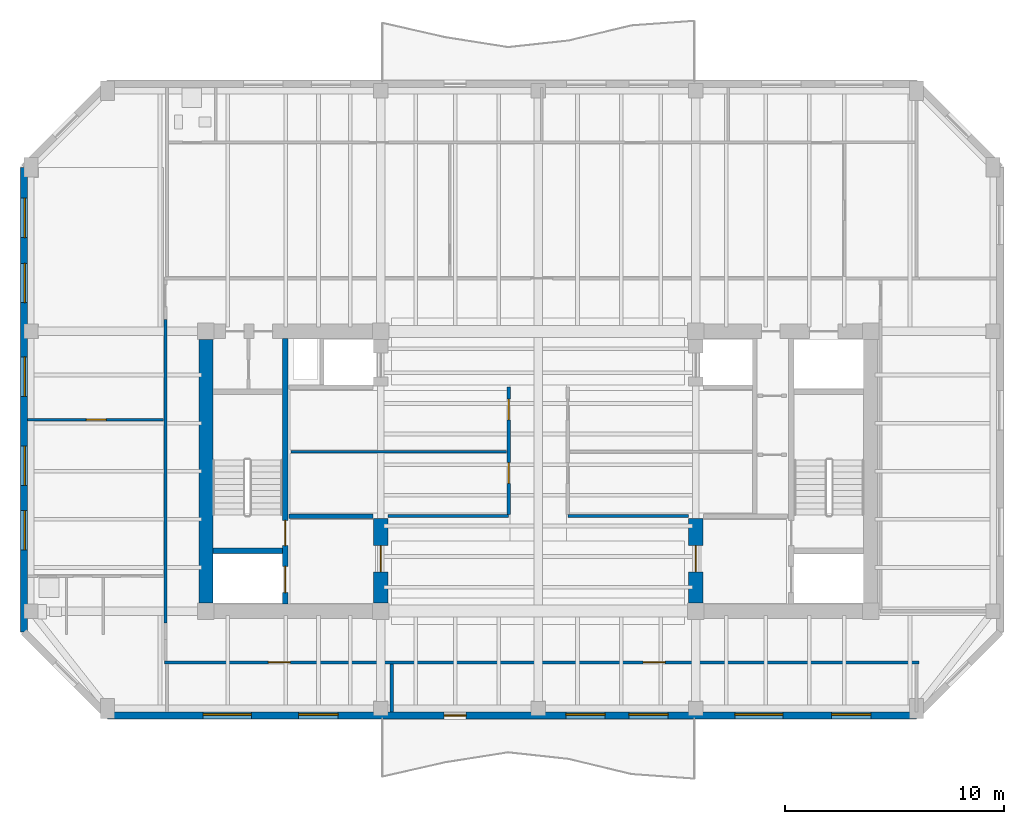
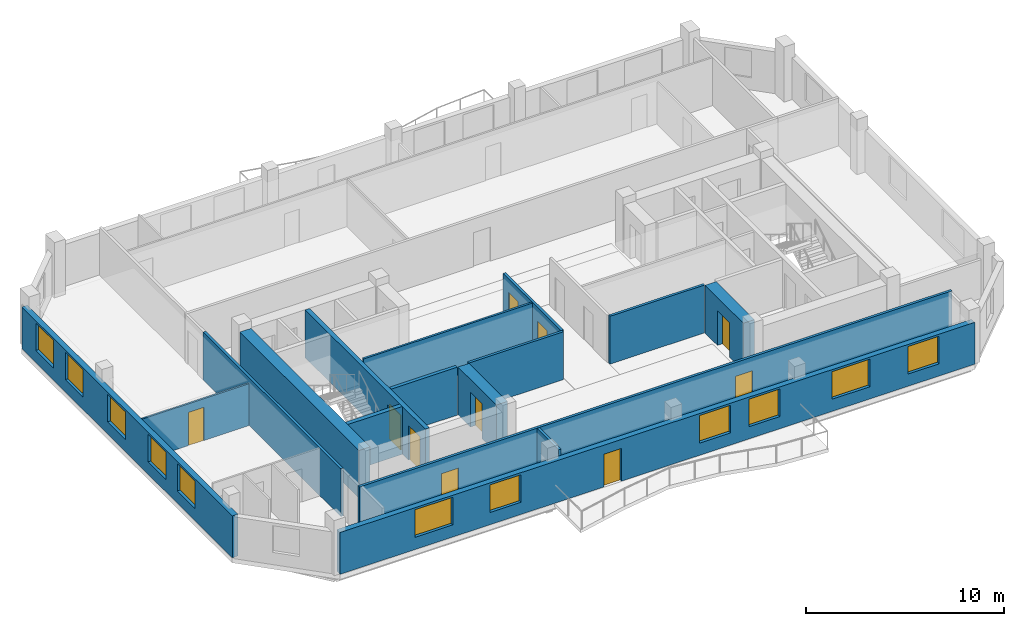
# One storey, part 3 of 10: 16 walls, 11 windows, 10 doors, 21 openings.
"""IFC4 building model written with IfcOpenShell, lengths in metres."""

from ifc_helpers import new_model, si_unit, direction, frame, frame_2d, origin, place, context, subcontext, project, spatial, rectangle, extrude, material, layer, layer_set, type_object, element, fill, save


model = new_model("IFC4")

# Units and contexts
model_context = context("Model", 3, precision=1e-05, world=origin(), true_north=direction((0.0, 1.0)))
body_context = subcontext(model_context, "Body", "Model", "MODEL_VIEW")
ifc_project = project(units=[si_unit("LENGTHUNIT", "METRE"), si_unit("AREAUNIT", "SQUARE_METRE"), si_unit("VOLUMEUNIT", "CUBIC_METRE"), si_unit("PLANEANGLEUNIT", "RADIAN"), si_unit("MASSUNIT", "GRAM", prefix="KILO")], contexts=[model_context])

# Site, building, storey
site_placement = place(None, origin())
site = spatial("IfcSite", under=ifc_project, at=site_placement, CompositionType="ELEMENT")
building_placement = place(site_placement, origin())
building = spatial("IfcBuilding", under=site, at=building_placement, Name="Kranthara Brick Stack", CompositionType="ELEMENT")
storey_placement = place(building_placement, frame((0.0, 0.0, 278.89990234375)))
storey = spatial("IfcBuildingStorey", under=building, at=storey_placement, Name="L74", CompositionType="ELEMENT", Elevation=278.89990234375)

# Wall, openings, door, windows
ifc_material_1 = material(Name="Warm buff clay brick masonry M15", Category="masonry")
ifc_layer_1 = layer(ifc_material_1, 0.320068359375)
ifc_layer_set_1 = layer_set([ifc_layer_1], Name="Warm buff clay brick masonry M15")
wall_type_1 = type_object("IfcWallType", Name="WL-BRK-UPPR-320", PredefinedType="STANDARD", material=ifc_layer_set_1)
wall_1_placement = place(storey_placement, frame((45.300048828125, 16.030029296875, 0.0), z_axis=(0.0, 0.0, 1.0), x_axis=(-1.0, 0.0, 0.0)))
wall_1 = element("IfcWall", 1, at=wall_1_placement, inside=storey, type_object=wall_type_1, Name="L74 Exterior Brick Facade Wall SOUTH 1", PredefinedType="STANDARD", context=body_context, shape_type="SweptSolid", body=[
    extrude(rectangle(XDim=37.0, YDim=0.320068359375, at=frame_2d((18.5, 0.0))), origin(), (0.0, 0.0, 1.0), 2.5751953125),
])
opening_1_placement = place(wall_1_placement, frame((20.60009765625, 0.0, 0.0)))
opening_1 = element("IfcOpeningElement", 2, at=opening_1_placement, cuts=wall_1, Name="Opening D03", PredefinedType="OPENING", context=body_context, shape_type="SweptSolid", body=[
    extrude(rectangle(XDim=1.0, YDim=2.02001953125, at=frame_2d((0.5, 1.010009765625))), frame((0.0, 0.169921875, 0.0), z_axis=(0.0, -1.0, 0.0), x_axis=(1.0, 0.0, 0.0)), (0.0, 0.0, 1.0), 0.340087890625),
])
opening_2_placement = place(wall_1_placement, frame((2.087890625, 0.0, 0.75)))
opening_2 = element("IfcOpeningElement", 3, at=opening_2_placement, cuts=wall_1, Name="Opening WN07", PredefinedType="OPENING", context=body_context, shape_type="SweptSolid", body=[
    extrude(rectangle(XDim=1.800048828125, YDim=1.699951171875, at=frame_2d((0.89990234375, 0.85009765625))), frame((0.0, 0.169921875, 0.0), z_axis=(0.0, -1.0, 0.0), x_axis=(1.0, 0.0, 0.0)), (0.0, 0.0, 1.0), 0.340087890625),
])
opening_3_placement = place(wall_1_placement, frame((6.112060546875, 0.0, 0.75)))
opening_3 = element("IfcOpeningElement", 4, at=opening_3_placement, cuts=wall_1, Name="Opening WN08", PredefinedType="OPENING", context=body_context, shape_type="SweptSolid", body=[
    extrude(rectangle(XDim=2.199951171875, YDim=1.699951171875, at=frame_2d((1.10009765625, 0.85009765625))), frame((0.0, 0.169921875, 0.0), z_axis=(0.0, -1.0, 0.0), x_axis=(1.0, 0.0, 0.0)), (0.0, 0.0, 1.0), 0.340087890625),
])
opening_4_placement = place(wall_1_placement, frame((11.360107421875, 0.0, 0.75)))
opening_4 = element("IfcOpeningElement", 5, at=opening_4_placement, cuts=wall_1, Name="Opening WN07", PredefinedType="OPENING", context=body_context, shape_type="SweptSolid", body=[
    extrude(rectangle(XDim=1.800048828125, YDim=1.699951171875, at=frame_2d((0.89990234375, 0.85009765625))), frame((0.0, 0.169921875, 0.0), z_axis=(0.0, -1.0, 0.0), x_axis=(1.0, 0.0, 0.0)), (0.0, 0.0, 1.0), 0.340087890625),
])
opening_5_placement = place(wall_1_placement, frame((14.239990234375, 0.0, 0.75)))
opening_5 = element("IfcOpeningElement", 6, at=opening_5_placement, cuts=wall_1, Name="Opening WN07", PredefinedType="OPENING", context=body_context, shape_type="SweptSolid", body=[
    extrude(rectangle(XDim=1.800048828125, YDim=1.699951171875, at=frame_2d((0.89990234375, 0.85009765625))), frame((0.0, 0.169921875, 0.0), z_axis=(0.0, -1.0, 0.0), x_axis=(1.0, 0.0, 0.0)), (0.0, 0.0, 1.0), 0.340087890625),
])
opening_6_placement = place(wall_1_placement, frame((26.45703125, 0.0, 0.75)))
opening_6 = element("IfcOpeningElement", 7, at=opening_6_placement, cuts=wall_1, Name="Opening WN07", PredefinedType="OPENING", context=body_context, shape_type="SweptSolid", body=[
    extrude(rectangle(XDim=1.800048828125, YDim=1.699951171875, at=frame_2d((0.89990234375, 0.85009765625))), frame((0.0, 0.169921875, 0.0), z_axis=(0.0, -1.0, 0.0), x_axis=(1.0, 0.0, 0.0)), (0.0, 0.0, 1.0), 0.340087890625),
])
opening_7_placement = place(wall_1_placement, frame((30.423095703125, 0.0, 0.75)))
opening_7 = element("IfcOpeningElement", 8, at=opening_7_placement, cuts=wall_1, Name="Opening WN08", PredefinedType="OPENING", context=body_context, shape_type="SweptSolid", body=[
    extrude(rectangle(XDim=2.199951171875, YDim=1.699951171875, at=frame_2d((1.10009765625, 0.85009765625))), frame((0.0, 0.169921875, 0.0), z_axis=(0.0, -1.0, 0.0), x_axis=(1.0, 0.0, 0.0)), (0.0, 0.0, 1.0), 0.340087890625),
])
ifc_material_2 = material(Name="Bronze anodised aluminium and laminated glass", Category="aluminium")
door_type_1 = type_object("IfcDoorType", Name="DR-BALC-1000", OperationType="NOTDEFINED", PredefinedType="DOOR", material=ifc_material_2)
door_1_placement = place(opening_1_placement, origin())
door_1 = element("IfcDoor", 9, at=door_1_placement, inside=storey, type_object=door_type_1, Name="L74 South Balcony Terrace Door", OperationType="SINGLE_SWING_LEFT", OverallHeight=2.02001953125, OverallWidth=1.0, PredefinedType="DOOR", context=body_context, shape_type="SweptSolid", body=[
    extrude(rectangle(XDim=1.0, YDim=2.02001953125, at=frame_2d((0.5, 1.010009765625))), frame((0.0, 0.02490234375, 0.0), z_axis=(0.0, -1.0, 0.0), x_axis=(1.0, 0.0, 0.0)), (0.0, 0.0, 1.0), 0.050048828125),
])
fill(opening_1, door_1)
ifc_material_3 = material(Name="Double-glazed low-E solar control glass", Category="glass")
window_type_1 = type_object("IfcWindowType", Name="WN-RES-1800x1850", PartitioningType="DOUBLE_PANEL_VERTICAL", PredefinedType="WINDOW", material=ifc_material_3)
window_1_placement = place(opening_2_placement, origin())
window_1 = element("IfcWindow", 10, at=window_1_placement, inside=storey, type_object=window_type_1, Name="L74 South Deep-Set Brick Window 01", OverallHeight=1.699951171875, OverallWidth=1.800048828125, PartitioningType="SINGLE_PANEL", PredefinedType="WINDOW", context=body_context, shape_type="SweptSolid", body=[
    extrude(rectangle(XDim=1.800048828125, YDim=1.699951171875, at=frame_2d((0.89990234375, 0.85009765625))), frame((0.0, -0.010009765625, 0.0), z_axis=(0.0, -1.0, 0.0), x_axis=(1.0, 0.0, 0.0)), (0.0, 0.0, 1.0), 0.06005859375),
])
fill(opening_2, window_1)
window_2_placement = place(opening_4_placement, origin())
window_2 = element("IfcWindow", 11, at=window_2_placement, inside=storey, type_object=window_type_1, Name="L74 South Deep-Set Brick Window 03", OverallHeight=1.699951171875, OverallWidth=1.800048828125, PartitioningType="SINGLE_PANEL", PredefinedType="WINDOW", context=body_context, shape_type="SweptSolid", body=[
    extrude(rectangle(XDim=1.800048828125, YDim=1.699951171875, at=frame_2d((0.89990234375, 0.85009765625))), frame((0.0, -0.010009765625, 0.0), z_axis=(0.0, -1.0, 0.0), x_axis=(1.0, 0.0, 0.0)), (0.0, 0.0, 1.0), 0.06005859375),
])
fill(opening_4, window_2)
window_3_placement = place(opening_5_placement, origin())
window_3 = element("IfcWindow", 12, at=window_3_placement, inside=storey, type_object=window_type_1, Name="L74 South Deep-Set Brick Window 04", OverallHeight=1.699951171875, OverallWidth=1.800048828125, PartitioningType="SINGLE_PANEL", PredefinedType="WINDOW", context=body_context, shape_type="SweptSolid", body=[
    extrude(rectangle(XDim=1.800048828125, YDim=1.699951171875, at=frame_2d((0.89990234375, 0.85009765625))), frame((0.0, -0.010009765625, 0.0), z_axis=(0.0, -1.0, 0.0), x_axis=(1.0, 0.0, 0.0)), (0.0, 0.0, 1.0), 0.06005859375),
])
fill(opening_5, window_3)
window_4_placement = place(opening_6_placement, origin())
window_4 = element("IfcWindow", 13, at=window_4_placement, inside=storey, type_object=window_type_1, Name="L74 South Deep-Set Brick Window 05", OverallHeight=1.699951171875, OverallWidth=1.800048828125, PartitioningType="SINGLE_PANEL", PredefinedType="WINDOW", context=body_context, shape_type="SweptSolid", body=[
    extrude(rectangle(XDim=1.800048828125, YDim=1.699951171875, at=frame_2d((0.89990234375, 0.85009765625))), frame((0.0, -0.010009765625, 0.0), z_axis=(0.0, -1.0, 0.0), x_axis=(1.0, 0.0, 0.0)), (0.0, 0.0, 1.0), 0.06005859375),
])
fill(opening_6, window_4)
ifc_material_4 = material(Name="Double-glazed low-E solar control glass", Category="glass")
window_type_2 = type_object("IfcWindowType", Name="WN-RES-2200x1850", PartitioningType="TRIPLE_PANEL_VERTICAL", PredefinedType="WINDOW", material=ifc_material_4)
window_5_placement = place(opening_3_placement, origin())
window_5 = element("IfcWindow", 14, at=window_5_placement, inside=storey, type_object=window_type_2, Name="L74 South Deep-Set Brick Window 02", OverallHeight=1.699951171875, OverallWidth=2.199951171875, PartitioningType="SINGLE_PANEL", PredefinedType="WINDOW", context=body_context, shape_type="SweptSolid", body=[
    extrude(rectangle(XDim=2.199951171875, YDim=1.699951171875, at=frame_2d((1.10009765625, 0.85009765625))), frame((0.0, -0.010009765625, 0.0), z_axis=(0.0, -1.0, 0.0), x_axis=(1.0, 0.0, 0.0)), (0.0, 0.0, 1.0), 0.06005859375),
])
fill(opening_3, window_5)
window_6_placement = place(opening_7_placement, origin())
window_6 = element("IfcWindow", 15, at=window_6_placement, inside=storey, type_object=window_type_2, Name="L74 South Deep-Set Brick Window 06", OverallHeight=1.699951171875, OverallWidth=2.199951171875, PartitioningType="SINGLE_PANEL", PredefinedType="WINDOW", context=body_context, shape_type="SweptSolid", body=[
    extrude(rectangle(XDim=2.199951171875, YDim=1.699951171875, at=frame_2d((1.10009765625, 0.85009765625))), frame((0.0, -0.010009765625, 0.0), z_axis=(0.0, -1.0, 0.0), x_axis=(1.0, 0.0, 0.0)), (0.0, 0.0, 1.0), 0.06005859375),
])
fill(opening_7, window_6)

# Wall, openings, windows
wall_2_placement = place(storey_placement, frame((4.47998046875, 19.85009765625, 0.0), z_axis=(0.0, 0.0, 1.0), x_axis=(0.0, 1.0, 0.0)))
wall_2 = element("IfcWall", 16, at=wall_2_placement, inside=storey, type_object=wall_type_1, Name="L74 Exterior Brick Facade Wall WEST 1", PredefinedType="STANDARD", context=body_context, shape_type="SweptSolid", body=[
    extrude(rectangle(XDim=21.25, YDim=0.320068359375, at=frame_2d((10.625, 0.0))), origin(), (0.0, 0.0, 1.0), 2.5751953125),
])
opening_8_placement = place(wall_2_placement, frame((3.7509765625, 0.0, 0.75)))
opening_8 = element("IfcOpeningElement", 17, at=opening_8_placement, cuts=wall_2, Name="Opening WN07", PredefinedType="OPENING", context=body_context, shape_type="SweptSolid", body=[
    extrude(rectangle(XDim=1.800048828125, YDim=1.699951171875, at=frame_2d((0.89990234375, 0.85009765625))), frame((0.0, 0.169921875, 0.0), z_axis=(0.0, -1.0, 0.0), x_axis=(1.0, 0.0, 0.0)), (0.0, 0.0, 1.0), 0.340087890625),
])
opening_9_placement = place(wall_2_placement, frame((6.705078125, 0.0, 0.75)))
opening_9 = element("IfcOpeningElement", 18, at=opening_9_placement, cuts=wall_2, Name="Opening WN07", PredefinedType="OPENING", context=body_context, shape_type="SweptSolid", body=[
    extrude(rectangle(XDim=1.800048828125, YDim=1.699951171875, at=frame_2d((0.89990234375, 0.85009765625))), frame((0.0, 0.169921875, 0.0), z_axis=(0.0, -1.0, 0.0), x_axis=(1.0, 0.0, 0.0)), (0.0, 0.0, 1.0), 0.340087890625),
])
opening_10_placement = place(wall_2_placement, frame((10.778076171875, 0.0, 0.75)))
opening_10 = element("IfcOpeningElement", 19, at=opening_10_placement, cuts=wall_2, Name="Opening WN07", PredefinedType="OPENING", context=body_context, shape_type="SweptSolid", body=[
    extrude(rectangle(XDim=1.800048828125, YDim=1.699951171875, at=frame_2d((0.89990234375, 0.85009765625))), frame((0.0, 0.169921875, 0.0), z_axis=(0.0, -1.0, 0.0), x_axis=(1.0, 0.0, 0.0)), (0.0, 0.0, 1.0), 0.340087890625),
])
opening_11_placement = place(wall_2_placement, frame((15.06201171875, 0.0, 0.75)))
opening_11 = element("IfcOpeningElement", 20, at=opening_11_placement, cuts=wall_2, Name="Opening WN07", PredefinedType="OPENING", context=body_context, shape_type="SweptSolid", body=[
    extrude(rectangle(XDim=1.800048828125, YDim=1.699951171875, at=frame_2d((0.89990234375, 0.85009765625))), frame((0.0, 0.169921875, 0.0), z_axis=(0.0, -1.0, 0.0), x_axis=(1.0, 0.0, 0.0)), (0.0, 0.0, 1.0), 0.340087890625),
])
opening_12_placement = place(wall_2_placement, frame((18.0380859375, 0.0, 0.75)))
opening_12 = element("IfcOpeningElement", 21, at=opening_12_placement, cuts=wall_2, Name="Opening WN07", PredefinedType="OPENING", context=body_context, shape_type="SweptSolid", body=[
    extrude(rectangle(XDim=1.800048828125, YDim=1.699951171875, at=frame_2d((0.89990234375, 0.85009765625))), frame((0.0, 0.169921875, 0.0), z_axis=(0.0, -1.0, 0.0), x_axis=(1.0, 0.0, 0.0)), (0.0, 0.0, 1.0), 0.340087890625),
])
window_7_placement = place(opening_8_placement, origin())
window_7 = element("IfcWindow", 22, at=window_7_placement, inside=storey, type_object=window_type_1, Name="L74 West Deep-Set Brick Window 01", OverallHeight=1.699951171875, OverallWidth=1.800048828125, PartitioningType="SINGLE_PANEL", PredefinedType="WINDOW", context=body_context, shape_type="SweptSolid", body=[
    extrude(rectangle(XDim=1.800048828125, YDim=1.699951171875, at=frame_2d((0.89990234375, 0.85009765625))), frame((0.0, -0.010009765625, 0.0), z_axis=(0.0, -1.0, 0.0), x_axis=(1.0, 0.0, 0.0)), (0.0, 0.0, 1.0), 0.06005859375),
])
fill(opening_8, window_7)
window_8_placement = place(opening_9_placement, origin())
window_8 = element("IfcWindow", 23, at=window_8_placement, inside=storey, type_object=window_type_1, Name="L74 West Deep-Set Brick Window 02", OverallHeight=1.699951171875, OverallWidth=1.800048828125, PartitioningType="SINGLE_PANEL", PredefinedType="WINDOW", context=body_context, shape_type="SweptSolid", body=[
    extrude(rectangle(XDim=1.800048828125, YDim=1.699951171875, at=frame_2d((0.89990234375, 0.85009765625))), frame((0.0, -0.010009765625, 0.0), z_axis=(0.0, -1.0, 0.0), x_axis=(1.0, 0.0, 0.0)), (0.0, 0.0, 1.0), 0.06005859375),
])
fill(opening_9, window_8)
window_9_placement = place(opening_10_placement, origin())
window_9 = element("IfcWindow", 24, at=window_9_placement, inside=storey, type_object=window_type_1, Name="L74 West Deep-Set Brick Window 03", OverallHeight=1.699951171875, OverallWidth=1.800048828125, PartitioningType="SINGLE_PANEL", PredefinedType="WINDOW", context=body_context, shape_type="SweptSolid", body=[
    extrude(rectangle(XDim=1.800048828125, YDim=1.699951171875, at=frame_2d((0.89990234375, 0.85009765625))), frame((0.0, -0.010009765625, 0.0), z_axis=(0.0, -1.0, 0.0), x_axis=(1.0, 0.0, 0.0)), (0.0, 0.0, 1.0), 0.06005859375),
])
fill(opening_10, window_9)
window_10_placement = place(opening_11_placement, origin())
window_10 = element("IfcWindow", 25, at=window_10_placement, inside=storey, type_object=window_type_1, Name="L74 West Deep-Set Brick Window 04", OverallHeight=1.699951171875, OverallWidth=1.800048828125, PartitioningType="SINGLE_PANEL", PredefinedType="WINDOW", context=body_context, shape_type="SweptSolid", body=[
    extrude(rectangle(XDim=1.800048828125, YDim=1.699951171875, at=frame_2d((0.89990234375, 0.85009765625))), frame((0.0, -0.010009765625, 0.0), z_axis=(0.0, -1.0, 0.0), x_axis=(1.0, 0.0, 0.0)), (0.0, 0.0, 1.0), 0.06005859375),
])
fill(opening_11, window_10)
window_11_placement = place(opening_12_placement, origin())
window_11 = element("IfcWindow", 26, at=window_11_placement, inside=storey, type_object=window_type_1, Name="L74 West Deep-Set Brick Window 05", OverallHeight=1.699951171875, OverallWidth=1.800048828125, PartitioningType="SINGLE_PANEL", PredefinedType="WINDOW", context=body_context, shape_type="SweptSolid", body=[
    extrude(rectangle(XDim=1.800048828125, YDim=1.699951171875, at=frame_2d((0.89990234375, 0.85009765625))), frame((0.0, -0.010009765625, 0.0), z_axis=(0.0, -1.0, 0.0), x_axis=(1.0, 0.0, 0.0)), (0.0, 0.0, 1.0), 0.06005859375),
])
fill(opening_12, window_11)

# Wall, openings, doors
ifc_material_5 = material(Name="Concrete C50/60", Category="concrete")
ifc_layer_2 = layer(ifc_material_5, 0.25)
ifc_layer_set_2 = layer_set([ifc_layer_2], Name="Concrete C50/60")
wall_type_2 = type_object("IfcWallType", Name="WL-CORE-250", PredefinedType="SHEAR", material=ifc_layer_set_2)
wall_3_placement = place(storey_placement, frame((16.43505859375, 21.135009765625, 0.0), z_axis=(0.0, 0.0, 1.0), x_axis=(0.0, 1.0, 0.0)))
wall_3 = element("IfcWall", 27, at=wall_3_placement, inside=storey, type_object=wall_type_2, Name="L74 West Core Stair Bearing Spine Wall", PredefinedType="SHEAR", context=body_context, shape_type="SweptSolid", body=[
    extrude(rectangle(XDim=12.1298828125, YDim=0.25, at=frame_2d((6.06494140625, 0.0))), origin(), (0.0, 0.0, 1.0), 2.9501953125),
])
opening_13_placement = place(wall_3_placement, frame((0.514892578125, 0.0, 0.0)))
opening_13 = element("IfcOpeningElement", 28, at=opening_13_placement, cuts=wall_3, Name="Opening LD01", PredefinedType="OPENING", context=body_context, shape_type="SweptSolid", body=[
    extrude(rectangle(XDim=1.199951171875, YDim=2.14990234375, at=frame_2d((0.60009765625, 1.074951171875))), frame((0.0, 0.135009765625, 0.0), z_axis=(0.0, -1.0, 0.0), x_axis=(1.0, 0.0, 0.0)), (0.0, 0.0, 1.0), 0.27001953125),
])
opening_14_placement = place(wall_3_placement, frame((2.6650390625, 0.0, 0.0)))
opening_14 = element("IfcOpeningElement", 29, at=opening_14_placement, cuts=wall_3, Name="Opening D05", PredefinedType="OPENING", context=body_context, shape_type="SweptSolid", body=[
    extrude(rectangle(XDim=1.14990234375, YDim=2.14990234375, at=frame_2d((0.574951171875, 1.074951171875))), frame((0.0, 0.135009765625, 0.0), z_axis=(0.0, -1.0, 0.0), x_axis=(1.0, 0.0, 0.0)), (0.0, 0.0, 1.0), 0.27001953125),
])
ifc_material_6 = material(Name="Stainless steel sliding landing door", Category="steel")
door_type_2 = type_object("IfcDoorType", Name="DR-LD-FF1200", OperationType="DOUBLE_DOOR_SLIDING", PredefinedType="DOOR", material=ifc_material_6)
door_2_placement = place(opening_13_placement, origin())
door_2 = element("IfcDoor", 30, at=door_2_placement, inside=storey, type_object=door_type_2, Name="L74 Firefighting Lift FF-01 Landing Door", OperationType="DOUBLE_DOOR_SLIDING", OverallHeight=2.14990234375, OverallWidth=1.199951171875, PredefinedType="DOOR", context=body_context, shape_type="SweptSolid", body=[
    extrude(rectangle(XDim=1.199951171875, YDim=2.14990234375, at=frame_2d((0.60009765625, 1.074951171875))), frame((0.0, 0.02490234375, 0.0), z_axis=(0.0, -1.0, 0.0), x_axis=(1.0, 0.0, 0.0)), (0.0, 0.0, 1.0), 0.050048828125),
])
fill(opening_13, door_2)
ifc_material_7 = material(Name="Solid-core hardwood timber leaf in steel frame", Category="steel")
door_type_3 = type_object("IfcDoorType", Name="DR-ST-1150", OperationType="NOTDEFINED", PredefinedType="DOOR", material=ifc_material_7)
door_3_placement = place(opening_14_placement, origin())
door_3 = element("IfcDoor", 31, at=door_3_placement, inside=storey, type_object=door_type_3, Name="L74 Exit Stair ST01 Door", OperationType="SINGLE_SWING_RIGHT", OverallHeight=2.14990234375, OverallWidth=1.14990234375, PredefinedType="DOOR", context=body_context, shape_type="SweptSolid", body=[
    extrude(rectangle(XDim=1.14990234375, YDim=2.14990234375, at=frame_2d((0.574951171875, 1.074951171875))), frame((0.0, 0.02490234375, 0.0), z_axis=(0.0, -1.0, 0.0), x_axis=(1.0, 0.0, 0.0)), (0.0, 0.0, 1.0), 0.050048828125),
])
fill(opening_14, door_3)

# Walls
wall_4_placement = place(storey_placement, frame((13.135009765625, 23.570068359375, 0.0), z_axis=(0.0, 0.0, 1.0), x_axis=(1.0, 0.0, 0.0)))
element("IfcWall", 32, at=wall_4_placement, inside=storey, type_object=wall_type_2, Name="L74 West Stairwell Bearing Wall WFF", PredefinedType="SHEAR", context=body_context, shape_type="SweptSolid", body=[
    extrude(rectangle(XDim=3.175048828125, YDim=0.25, at=frame_2d((1.58740234375, 0.0))), origin(), (0.0, 0.0, 1.0), 2.9501953125),
])
ifc_material_8 = material(Name="Concrete C60/75", Category="concrete")
ifc_layer_3 = layer(ifc_material_8, 0.64990234375)
ifc_layer_set_3 = layer_set([ifc_layer_3], Name="Concrete C60/75")
wall_type_3 = type_object("IfcWallType", Name="WL-CORE-650", PredefinedType="SHEAR", material=ifc_layer_set_3)
wall_5_placement = place(storey_placement, frame((12.800048828125, 21.179931640625, 0.0), z_axis=(0.0, 0.0, 1.0), x_axis=(0.0, 1.0, 0.0)))
element("IfcWall", 33, at=wall_5_placement, inside=storey, type_object=wall_type_3, Name="L74 West Core Shear Wall West", PredefinedType="SHEAR", context=body_context, shape_type="SweptSolid", body=[
    extrude(rectangle(XDim=12.0400390625, YDim=0.64990234375, at=frame_2d((6.02001953125, 0.0))), origin(), (0.0, 0.0, 1.0), 2.9501953125),
])

# Wall, opening, door
wall_6_placement = place(storey_placement, frame((20.800048828125, 21.179931640625, 0.0), z_axis=(0.0, 0.0, 1.0), x_axis=(0.0, 1.0, 0.0)))
wall_6 = element("IfcWall", 34, at=wall_6_placement, inside=storey, type_object=wall_type_3, Name="L74 West Core Lobby Shear Wall", PredefinedType="SHEAR", context=body_context, shape_type="SweptSolid", body=[
    extrude(rectangle(XDim=3.8701171875, YDim=0.64990234375, at=frame_2d((1.93505859375, 0.0))), origin(), (0.0, 0.0, 1.0), 2.9501953125),
])
opening_15_placement = place(wall_6_placement, frame((1.419921875, 0.0, 0.0)))
opening_15 = element("IfcOpeningElement", 35, at=opening_15_placement, cuts=wall_6, Name="Opening D06", PredefinedType="OPENING", context=body_context, shape_type="SweptSolid", body=[
    extrude(rectangle(XDim=1.199951171875, YDim=2.14990234375, at=frame_2d((0.60009765625, 1.074951171875))), frame((0.0, 0.3349609375, 0.0), z_axis=(0.0, -1.0, 0.0), x_axis=(1.0, 0.0, 0.0)), (0.0, 0.0, 1.0), 0.669921875),
])
ifc_material_9 = material(Name="Solid-core hardwood timber leaf in steel frame", Category="steel")
door_type_4 = type_object("IfcDoorType", Name="DR-FFL-1200", OperationType="NOTDEFINED", PredefinedType="DOOR", material=ifc_material_9)
door_4_placement = place(opening_15_placement, origin())
door_4 = element("IfcDoor", 36, at=door_4_placement, inside=storey, type_object=door_type_4, Name="L74 West Firefighting Lobby Door", OperationType="SINGLE_SWING_LEFT", OverallHeight=2.14990234375, OverallWidth=1.199951171875, PredefinedType="DOOR", context=body_context, shape_type="SweptSolid", body=[
    extrude(rectangle(XDim=1.199951171875, YDim=2.14990234375, at=frame_2d((0.60009765625, 1.074951171875))), frame((0.0, 0.02490234375, 0.0), z_axis=(0.0, -1.0, 0.0), x_axis=(1.0, 0.0, 0.0)), (0.0, 0.0, 1.0), 0.050048828125),
])
fill(opening_15, door_4)

wall_7_placement = place(storey_placement, frame((35.199951171875, 21.179931640625, 0.0), z_axis=(0.0, 0.0, 1.0), x_axis=(0.0, 1.0, 0.0)))
wall_7 = element("IfcWall", 37, at=wall_7_placement, inside=storey, type_object=wall_type_3, Name="L74 East Core Lobby Shear Wall", PredefinedType="SHEAR", context=body_context, shape_type="SweptSolid", body=[
    extrude(rectangle(XDim=3.8701171875, YDim=0.64990234375, at=frame_2d((1.93505859375, 0.0))), origin(), (0.0, 0.0, 1.0), 2.9501953125),
])
opening_16_placement = place(wall_7_placement, frame((1.419921875, 0.0, 0.0)))
opening_16 = element("IfcOpeningElement", 38, at=opening_16_placement, cuts=wall_7, Name="Opening D06", PredefinedType="OPENING", context=body_context, shape_type="SweptSolid", body=[
    extrude(rectangle(XDim=1.199951171875, YDim=2.14990234375, at=frame_2d((0.60009765625, 1.074951171875))), frame((0.0, 0.3349609375, 0.0), z_axis=(0.0, -1.0, 0.0), x_axis=(1.0, 0.0, 0.0)), (0.0, 0.0, 1.0), 0.669921875),
])
door_5_placement = place(opening_16_placement, origin())
door_5 = element("IfcDoor", 39, at=door_5_placement, inside=storey, type_object=door_type_4, Name="L74 East Firefighting Lobby Door", OperationType="SINGLE_SWING_RIGHT", OverallHeight=2.14990234375, OverallWidth=1.199951171875, PredefinedType="DOOR", context=body_context, shape_type="SweptSolid", body=[
    extrude(rectangle(XDim=1.199951171875, YDim=2.14990234375, at=frame_2d((0.60009765625, 1.074951171875))), frame((0.0, 0.02490234375, 0.0), z_axis=(0.0, -1.0, 0.0), x_axis=(1.0, 0.0, 0.0)), (0.0, 0.0, 1.0), 0.050048828125),
])
fill(opening_16, door_5)

ifc_material_10 = material(Name="Moisture-resistant wet-room partition", Category="other")
ifc_layer_4 = layer(ifc_material_10, 0.10009765625)
ifc_layer_set_4 = layer_set([ifc_layer_4], Name="Moisture-resistant wet-room partition")
wall_type_4 = type_object("IfcWallType", Name="WL-PART-100", PredefinedType="PARTITIONING", material=ifc_layer_set_4)
wall_8_placement = place(storey_placement, frame((4.64501953125, 29.555908203125, 0.0), z_axis=(0.0, 0.0, 1.0), x_axis=(1.0, 0.0, 0.0)))
wall_8 = element("IfcWall", 40, at=wall_8_placement, inside=storey, type_object=wall_type_4, Name="L74 Interior Partition 029", PredefinedType="PARTITIONING", context=body_context, shape_type="SweptSolid", body=[
    extrude(rectangle(XDim=6.22509765625, YDim=0.10009765625, at=frame_2d((3.112548828125, 0.0))), origin(), (0.0, 0.0, 1.0), 2.5751953125),
])
opening_17_placement = place(wall_8_placement, frame((2.696044921875, 0.0, 0.0)))
opening_17 = element("IfcOpeningElement", 41, at=opening_17_placement, cuts=wall_8, Name="Opening D15", PredefinedType="OPENING", context=body_context, shape_type="SweptSolid", body=[
    extrude(rectangle(XDim=0.89990234375, YDim=2.050048828125, at=frame_2d((0.449951171875, 1.02490234375))), frame((0.0, 0.06005859375, 0.0), z_axis=(0.0, -1.0, 0.0), x_axis=(1.0, 0.0, 0.0)), (0.0, 0.0, 1.0), 0.1201171875),
])
ifc_material_11 = material(Name="Solid-core hardwood timber leaf in steel frame", Category="steel")
door_type_5 = type_object("IfcDoorType", Name="DR-INT-900", OperationType="NOTDEFINED", PredefinedType="DOOR", material=ifc_material_11)
door_6_placement = place(opening_17_placement, origin())
door_6 = element("IfcDoor", 42, at=door_6_placement, inside=storey, type_object=door_type_5, Name="L74 Unit L74B Study 18", OperationType="SINGLE_SWING_RIGHT", OverallHeight=2.050048828125, OverallWidth=0.89990234375, PredefinedType="DOOR", context=body_context, shape_type="SweptSolid", body=[
    extrude(rectangle(XDim=0.89990234375, YDim=2.050048828125, at=frame_2d((0.449951171875, 1.02490234375))), frame((0.0, 0.02490234375, 0.0), z_axis=(0.0, -1.0, 0.0), x_axis=(1.0, 0.0, 0.0)), (0.0, 0.0, 1.0), 0.050048828125),
])
fill(opening_17, door_6)

# Walls
ifc_material_12 = material(Name="Acoustic gypsum plasterboard partition", Category="other")
ifc_layer_5 = layer(ifc_material_12, 0.1201171875)
ifc_layer_set_5 = layer_set([ifc_layer_5], Name="Acoustic gypsum plasterboard partition")
wall_type_5 = type_object("IfcWallType", Name="WL-PART-120", PredefinedType="PARTITIONING", material=ifc_layer_set_5)
wall_9_placement = place(storey_placement, frame((16.699951171875, 28.10009765625, 0.0), z_axis=(0.0, 0.0, 1.0), x_axis=(1.0, 0.0, 0.0)))
element("IfcWall", 43, at=wall_9_placement, inside=storey, type_object=wall_type_5, Name="L74 Interior Partition 007", PredefinedType="PARTITIONING", context=body_context, shape_type="SweptSolid", body=[
    extrude(rectangle(XDim=9.85009765625, YDim=0.1201171875, at=frame_2d((4.925048828125, 0.0))), origin(), (0.0, 0.0, 1.0), 2.9501953125),
])
ifc_material_13 = material(Name="Fire-rated gypsum board partition", Category="other")
ifc_layer_6 = layer(ifc_material_13, 0.14990234375)
ifc_layer_set_6 = layer_set([ifc_layer_6], Name="Fire-rated gypsum board partition")
wall_type_6 = type_object("IfcWallType", Name="WL-PART-150", PredefinedType="PARTITIONING", material=ifc_layer_set_6)
for number, where, z_axis, x_axis, name in (
    (44, (21.1298828125, 25.14990234375, 0.0), (0.0, 0.0, 1.0), (1.0, 0.0, 0.0), "L74 Interior Partition 004"),
    (45, (29.35009765625, 25.14990234375, 0.0), (0.0, 0.0, 1.0), (1.0, 0.0, 0.0), "L74 Interior Partition 005"),
):
    element("IfcWall", number, at=place(storey_placement, frame(where, z_axis=z_axis, x_axis=x_axis)), inside=storey, type_object=wall_type_6, Name=name, PredefinedType="PARTITIONING", context=body_context, shape_type="SweptSolid", body=[
        extrude(rectangle(XDim=5.52001953125, YDim=0.14990234375, at=frame_2d((2.760009765625, 0.0))), origin(), (0.0, 0.0, 1.0), 2.9501953125),
    ])

# Wall, openings, doors
wall_10_placement = place(storey_placement, frame((26.64990234375, 25.22998046875, 0.0), z_axis=(0.0, 0.0, 1.0), x_axis=(0.0, 1.0, 0.0)))
wall_10 = element("IfcWall", 46, at=wall_10_placement, inside=storey, type_object=wall_type_6, Name="L74 Interior Partition 006", PredefinedType="PARTITIONING", context=body_context, shape_type="SweptSolid", body=[
    extrude(rectangle(XDim=5.820068359375, YDim=0.14990234375, at=frame_2d((2.91015625, 0.0))), origin(), (0.0, 0.0, 1.0), 2.9501953125),
])
opening_18_placement = place(wall_10_placement, frame((1.419921875, 0.0, 0.0)))
opening_18 = element("IfcOpeningElement", 47, at=opening_18_placement, cuts=wall_10, Name="Opening D09", PredefinedType="OPENING", context=body_context, shape_type="SweptSolid", body=[
    extrude(rectangle(XDim=0.949951171875, YDim=2.10009765625, at=frame_2d((0.47509765625, 1.050048828125))), frame((0.0, 0.0849609375, 0.0), z_axis=(0.0, -1.0, 0.0), x_axis=(1.0, 0.0, 0.0)), (0.0, 0.0, 1.0), 0.169921875),
])
opening_19_placement = place(wall_10_placement, frame((4.320068359375, 0.0, 0.0)))
opening_19 = element("IfcOpeningElement", 48, at=opening_19_placement, cuts=wall_10, Name="Opening D09", PredefinedType="OPENING", context=body_context, shape_type="SweptSolid", body=[
    extrude(rectangle(XDim=0.949951171875, YDim=2.10009765625, at=frame_2d((0.47509765625, 1.050048828125))), frame((0.0, 0.0849609375, 0.0), z_axis=(0.0, -1.0, 0.0), x_axis=(1.0, 0.0, 0.0)), (0.0, 0.0, 1.0), 0.169921875),
])
ifc_material_14 = material(Name="Solid-core hardwood timber leaf in steel frame", Category="steel")
door_type_6 = type_object("IfcDoorType", Name="DR-FD-950", OperationType="NOTDEFINED", PredefinedType="DOOR", material=ifc_material_14)
door_7_placement = place(opening_18_placement, origin())
door_7 = element("IfcDoor", 49, at=door_7_placement, inside=storey, type_object=door_type_6, Name="L74 Residents Study A 04", OperationType="SINGLE_SWING_RIGHT", OverallHeight=2.10009765625, OverallWidth=0.949951171875, PredefinedType="DOOR", context=body_context, shape_type="SweptSolid", body=[
    extrude(rectangle(XDim=0.949951171875, YDim=2.10009765625, at=frame_2d((0.47509765625, 1.050048828125))), frame((0.0, 0.02490234375, 0.0), z_axis=(0.0, -1.0, 0.0), x_axis=(1.0, 0.0, 0.0)), (0.0, 0.0, 1.0), 0.050048828125),
])
fill(opening_18, door_7)
door_8_placement = place(opening_19_placement, origin())
door_8 = element("IfcDoor", 50, at=door_8_placement, inside=storey, type_object=door_type_6, Name="L74 Residents Media Room 05", OperationType="SINGLE_SWING_LEFT", OverallHeight=2.10009765625, OverallWidth=0.949951171875, PredefinedType="DOOR", context=body_context, shape_type="SweptSolid", body=[
    extrude(rectangle(XDim=0.949951171875, YDim=2.10009765625, at=frame_2d((0.47509765625, 1.050048828125))), frame((0.0, 0.02490234375, 0.0), z_axis=(0.0, -1.0, 0.0), x_axis=(1.0, 0.0, 0.0)), (0.0, 0.0, 1.0), 0.050048828125),
])
fill(opening_19, door_8)

wall_11_placement = place(storey_placement, frame((10.89990234375, 18.4599609375, 0.0), z_axis=(0.0, 0.0, 1.0), x_axis=(1.0, 0.0, 0.0)))
wall_11 = element("IfcWall", 51, at=wall_11_placement, inside=storey, type_object=wall_type_6, Name="L74 Interior Partition 010", PredefinedType="PARTITIONING", context=body_context, shape_type="SweptSolid", body=[
    extrude(rectangle(XDim=34.52001953125, YDim=0.14990234375, at=frame_2d((17.260009765625, 0.0))), origin(), (0.0, 0.0, 1.0), 2.9501953125),
])
opening_20_placement = place(wall_11_placement, frame((4.761962890625, 0.0, 0.0)))
opening_20 = element("IfcOpeningElement", 52, at=opening_20_placement, cuts=wall_11, Name="Opening D08", PredefinedType="OPENING", context=body_context, shape_type="SweptSolid", body=[
    extrude(rectangle(XDim=1.0, YDim=2.10009765625, at=frame_2d((0.5, 1.050048828125))), frame((0.0, 0.0849609375, 0.0), z_axis=(0.0, -1.0, 0.0), x_axis=(1.0, 0.0, 0.0)), (0.0, 0.0, 1.0), 0.169921875),
])
opening_21_placement = place(wall_11_placement, frame((21.902099609375, 0.0, 0.0)))
opening_21 = element("IfcOpeningElement", 53, at=opening_21_placement, cuts=wall_11, Name="Opening D08", PredefinedType="OPENING", context=body_context, shape_type="SweptSolid", body=[
    extrude(rectangle(XDim=1.0, YDim=2.10009765625, at=frame_2d((0.5, 1.050048828125))), frame((0.0, 0.0849609375, 0.0), z_axis=(0.0, -1.0, 0.0), x_axis=(1.0, 0.0, 0.0)), (0.0, 0.0, 1.0), 0.169921875),
])
ifc_material_15 = material(Name="Solid-core hardwood timber leaf in steel frame", Category="steel")
door_type_7 = type_object("IfcDoorType", Name="DR-FD-1000", OperationType="NOTDEFINED", PredefinedType="DOOR", material=ifc_material_15)
door_9_placement = place(opening_20_placement, origin())
door_9 = element("IfcDoor", 54, at=door_9_placement, inside=storey, type_object=door_type_7, Name="L74 South Amenity Lounge 1 08", OperationType="SINGLE_SWING_RIGHT", OverallHeight=2.10009765625, OverallWidth=1.0, PredefinedType="DOOR", context=body_context, shape_type="SweptSolid", body=[
    extrude(rectangle(XDim=1.0, YDim=2.10009765625, at=frame_2d((0.5, 1.050048828125))), frame((0.0, 0.02490234375, 0.0), z_axis=(0.0, -1.0, 0.0), x_axis=(1.0, 0.0, 0.0)), (0.0, 0.0, 1.0), 0.050048828125),
])
fill(opening_20, door_9)
door_10_placement = place(opening_21_placement, origin())
door_10 = element("IfcDoor", 55, at=door_10_placement, inside=storey, type_object=door_type_7, Name="L74 South Amenity Lounge 2 09", OperationType="SINGLE_SWING_LEFT", OverallHeight=2.10009765625, OverallWidth=1.0, PredefinedType="DOOR", context=body_context, shape_type="SweptSolid", body=[
    extrude(rectangle(XDim=1.0, YDim=2.10009765625, at=frame_2d((0.5, 1.050048828125))), frame((0.0, 0.02490234375, 0.0), z_axis=(0.0, -1.0, 0.0), x_axis=(1.0, 0.0, 0.0)), (0.0, 0.0, 1.0), 0.050048828125),
])
fill(opening_21, door_10)

# Walls
wall_12_placement = place(storey_placement, frame((21.303955078125, 16.195068359375, 0.0), z_axis=(0.0, 0.0, 1.0), x_axis=(0.0, 1.0, 0.0)))
element("IfcWall", 56, at=wall_12_placement, inside=storey, type_object=wall_type_6, Name="L74 Interior Partition 012", PredefinedType="PARTITIONING", context=body_context, shape_type="SweptSolid", body=[
    extrude(rectangle(XDim=2.184814453125, YDim=0.14990234375, at=frame_2d((1.09228515625, 0.0))), origin(), (0.0, 0.0, 1.0), 2.9501953125),
])
wall_13_placement = place(storey_placement, frame((10.949951171875, 20.25, 0.0), z_axis=(0.0, 0.0, 1.0), x_axis=(0.0, 1.0, 0.0)))
element("IfcWall", 57, at=wall_13_placement, inside=storey, type_object=wall_type_6, Name="L74 Interior Partition 025", PredefinedType="PARTITIONING", context=body_context, shape_type="SweptSolid", body=[
    extrude(rectangle(XDim=13.89990234375, YDim=0.14990234375, at=frame_2d((6.949951171875, 0.0))), origin(), (0.0, 0.0, 1.0), 2.9501953125),
])
ifc_material_16 = material(Name="Concrete C40/50", Category="concrete")
ifc_layer_7 = layer(ifc_material_16, 0.199951171875)
ifc_layer_set_7 = layer_set([ifc_layer_7], Name="Concrete C40/50")
wall_type_7 = type_object("IfcWallType", Name="WL-PART-200", PredefinedType="SOLIDWALL", material=ifc_layer_set_7)
wall_14_placement = place(storey_placement, frame((16.60009765625, 25.14990234375, 0.0), z_axis=(0.0, 0.0, 1.0), x_axis=(1.0, 0.0, 0.0)))
element("IfcWall", 58, at=wall_14_placement, inside=storey, type_object=wall_type_7, Name="L74 West Core Cross Wall WFL", PredefinedType="SOLIDWALL", context=body_context, shape_type="SweptSolid", body=[
    extrude(rectangle(XDim=3.849853515625, YDim=0.199951171875, at=frame_2d((1.9248046875, 0.0))), origin(), (0.0, 0.0, 1.0), 2.9501953125),
])

save(model, "model.ifc")
